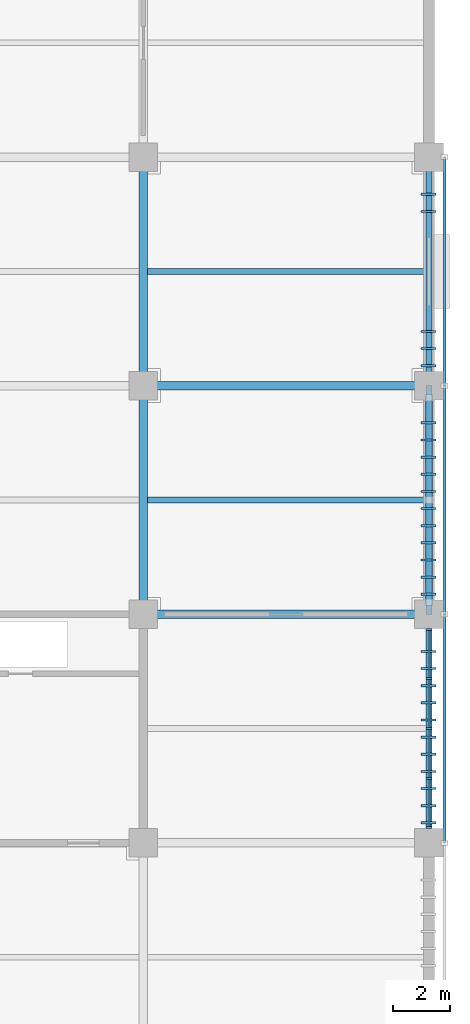
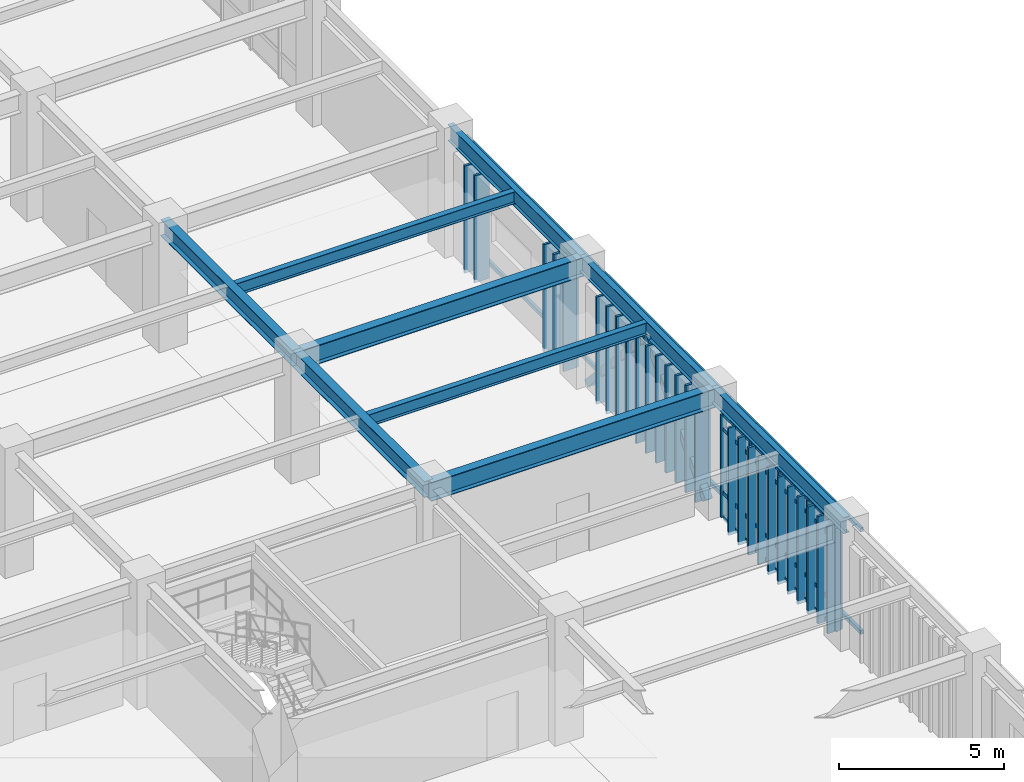
# One storey, part 40 of 117: 56 members, 9 beams, 1 element without a shape of its own.
"""IFC4 building model written with IfcOpenShell, lengths in metres."""

from ifc_helpers import new_model, si_unit, direction, frame, origin, origin_2d, place, context, subcontext, project, spatial, rectangle, hollow_rectangle, i_section, extrude, material, layer, layer_set, material_profile, profile_set, type_object, element, aggregate, save


model = new_model("IFC4")

# Units and contexts
model_context = context("Model", 3, precision=1e-05, world=origin(), true_north=direction((0.0, 1.0)))
body_context = subcontext(model_context, "Body", "Model", "MODEL_VIEW")
ifc_project = project(units=[si_unit("LENGTHUNIT", "METRE"), si_unit("AREAUNIT", "SQUARE_METRE"), si_unit("VOLUMEUNIT", "CUBIC_METRE"), si_unit("PLANEANGLEUNIT", "RADIAN"), si_unit("MASSUNIT", "GRAM", prefix="KILO")], contexts=[model_context])

# Site, building, storey
site_placement = place(None, origin())
site = spatial("IfcSite", under=ifc_project, at=site_placement, CompositionType="ELEMENT")
building_placement = place(site_placement, origin())
building = spatial("IfcBuilding", under=site, at=building_placement, Name="Haebicheon Civic Stadium", CompositionType="ELEMENT")
storey_placement = place(building_placement, frame((0.0, 0.0, 4.800048828125)))
storey = spatial("IfcBuildingStorey", under=building, at=storey_placement, Name="L02", CompositionType="ELEMENT", Elevation=4.800048828125)

# Beams
ifc_material_1 = material(Name="Steel SM355 (S355)", Category="steel")
ifc_material_profile_1 = material_profile(ifc_material_1, i_section(OverallWidth=0.300048828125, OverallDepth=0.60009765625, WebThickness=0.011962890625, FlangeThickness=0.02001953125, at=origin_2d()), Name="H-600x300x12x20")
ifc_profile_set_1 = profile_set([ifc_material_profile_1], Name="Steel SM355 (S355)")
beam_type_1 = type_object("IfcBeamType", Name="BM-ST-H600A", PredefinedType="BEAM", material=ifc_profile_set_1)
for number, where, z_axis, x_axis, name in (
    (1, (226.0, 112.0, 4.219970703125), (0.0, 1.0, 0.0), (-1.0, 0.0, 0.0), "L02 girder 29/Q-R"),
    (2, (226.0, 120.0, 4.219970703125), (0.0, 1.0, 0.0), (-1.0, 0.0, 0.0), "L02 girder 29/R-S"),
):
    element("IfcBeam", number, at=place(storey_placement, frame(where, z_axis=z_axis, x_axis=x_axis)), inside=storey, type_object=beam_type_1, material=ifc_profile_set_1, Name=name, PredefinedType="BEAM", context=body_context, shape_type="SweptSolid", body=[
        extrude(i_section(OverallWidth=0.300048828125, OverallDepth=0.60009765625, WebThickness=0.011962890625, FlangeThickness=0.02001953125, at=origin_2d()), origin(), (0.0, 0.0, 1.0), 8.0),
    ])
ifc_material_2 = material(Name="Steel SM490", Category="steel")
ifc_material_profile_2 = material_profile(ifc_material_2, i_section(OverallWidth=0.300048828125, OverallDepth=0.699951171875, WebThickness=0.012939453125, FlangeThickness=0.02392578125, at=origin_2d()), Name="H-700x300x13x24")
ifc_profile_set_2 = profile_set([ifc_material_profile_2], Name="Steel SM490")
beam_type_2 = type_object("IfcBeamType", Name="BM-ST-H700", PredefinedType="BEAM", material=ifc_profile_set_2)
for number, where, z_axis, x_axis, name in (
    (3, (226.0, 112.0, 4.169921875), (1.0, 0.0, 0.0), (0.0, 1.0, 0.0), "L02 beam Q/29-30"),
    (4, (226.0, 120.0, 4.169921875), (1.0, 0.0, 0.0), (0.0, 1.0, 0.0), "L02 beam R/29-30"),
):
    element("IfcBeam", number, at=place(storey_placement, frame(where, z_axis=z_axis, x_axis=x_axis)), inside=storey, type_object=beam_type_2, material=ifc_profile_set_2, Name=name, PredefinedType="BEAM", context=body_context, shape_type="SweptSolid", body=[
        extrude(i_section(OverallWidth=0.300048828125, OverallDepth=0.699951171875, WebThickness=0.012939453125, FlangeThickness=0.02392578125, at=origin_2d()), origin(), (0.0, 0.0, 1.0), 10.0),
    ])

# Members
ifc_material_3 = material(Name="Steel SM490", Category="steel")
ifc_material_profile_3 = material_profile(ifc_material_3, hollow_rectangle(XDim=0.25, YDim=0.25, WallThickness=0.011962890625, at=origin_2d()), Name="RHS-250x250x12.0")
ifc_profile_set_3 = profile_set([ifc_material_profile_3], Name="Steel SM490")
member_type_1 = type_object("IfcMemberType", Name="BRC-RHS250", PredefinedType="BRACE", material=ifc_profile_set_3)
for number, where, z_axis, x_axis, name in (
    (5, (236.0, 112.419921875, 0.0400390625), (0.0, 0.676254882326, 0.736667723014), (-1.0, 0.0, 0.0), "BR250 chevron brace L02 28-14 A"),
    (6, (236.0, 119.580078125, 0.0400390625), (0.0, -0.676254882326, 0.736667723014), (1.0, 0.0, 0.0), "BR250 chevron brace L02 28-14 B"),
):
    element("IfcMember", number, at=place(storey_placement, frame(where, z_axis=z_axis, x_axis=x_axis)), inside=storey, type_object=member_type_1, material=ifc_profile_set_3, Name=name, PredefinedType="BRACE", context=body_context, shape_type="SweptSolid", body=[
        extrude(hollow_rectangle(XDim=0.25, YDim=0.25, WallThickness=0.011962890625, at=origin_2d()), origin(), (0.0, 0.0, 1.0), 5.2939453125),
    ])

# Curtain wall, members
ifc_material_4 = material(Name="Anodised aluminium and laminated glass", Category="aluminium")
ifc_layer = layer(ifc_material_4, 0.179931640625, Name="Anodised aluminium and laminated glass")
ifc_layer_set = layer_set([ifc_layer], Name="Anodised aluminium and laminated glass")
curtain_wall_type = type_object("IfcCurtainWallType", Name="CW-7000x3810", PredefinedType="NOTDEFINED", material=ifc_layer_set)
curtain_wall_placement = place(storey_placement, origin())
curtain_wall = element("IfcCurtainWall", 7, at=curtain_wall_placement, inside=storey, type_object=curtain_wall_type, material=ifc_layer_set, Name="L02 unitised curtain wall 067", PredefinedType="NOTDEFINED")
ifc_material_5 = material(Name="Anodised aluminium 6063-T6", Category="aluminium")
ifc_material_profile_4 = material_profile(ifc_material_5, rectangle(XDim=0.070068359375, YDim=0.199951171875, at=origin_2d()), Name="ALU-MULL-70x200")
ifc_profile_set_4 = profile_set([ifc_material_profile_4], Name="Anodised aluminium 6063-T6")
member_type_2 = type_object("IfcMemberType", Name="CWM-200x70", PredefinedType="MULLION", material=ifc_profile_set_4)
member_1_placement = place(storey_placement, frame((236.0, 104.534912109375, 0.0), z_axis=(0.0, 0.0, 1.0), x_axis=(0.0, 1.0, 0.0)))
member_1 = element("IfcMember", 8, at=member_1_placement, type_object=member_type_2, material=ifc_profile_set_4, Name="CW-L02-067 vertical mullion 1", PredefinedType="MULLION", context=body_context, shape_type="SweptSolid", body=[
    extrude(rectangle(XDim=0.070068359375, YDim=0.199951171875, at=origin_2d()), origin(), (0.0, 0.0, 1.0), 3.81005859375),
])
member_2_placement = place(storey_placement, frame((236.0, 106.25, 0.0), z_axis=(0.0, 0.0, 1.0), x_axis=(0.0, 1.0, 0.0)))
member_2 = element("IfcMember", 9, at=member_2_placement, type_object=member_type_2, material=ifc_profile_set_4, Name="CW-L02-067 vertical mullion 2", PredefinedType="MULLION", context=body_context, shape_type="SweptSolid", body=[
    extrude(rectangle(XDim=0.070068359375, YDim=0.199951171875, at=origin_2d()), origin(), (0.0, 0.0, 1.0), 3.81005859375),
])
member_3_placement = place(storey_placement, frame((236.0, 108.0, 0.0), z_axis=(0.0, 0.0, 1.0), x_axis=(0.0, 1.0, 0.0)))
member_3 = element("IfcMember", 10, at=member_3_placement, type_object=member_type_2, material=ifc_profile_set_4, Name="CW-L02-067 vertical mullion 3", PredefinedType="MULLION", context=body_context, shape_type="SweptSolid", body=[
    extrude(rectangle(XDim=0.070068359375, YDim=0.199951171875, at=origin_2d()), origin(), (0.0, 0.0, 1.0), 3.81005859375),
])
member_4_placement = place(storey_placement, frame((236.0, 109.75, 0.0), z_axis=(0.0, 0.0, 1.0), x_axis=(0.0, 1.0, 0.0)))
member_4 = element("IfcMember", 11, at=member_4_placement, type_object=member_type_2, material=ifc_profile_set_4, Name="CW-L02-067 vertical mullion 4", PredefinedType="MULLION", context=body_context, shape_type="SweptSolid", body=[
    extrude(rectangle(XDim=0.070068359375, YDim=0.199951171875, at=origin_2d()), origin(), (0.0, 0.0, 1.0), 3.81005859375),
])
member_5_placement = place(storey_placement, frame((236.0, 111.465087890625, 0.0), z_axis=(0.0, 0.0, 1.0), x_axis=(0.0, 1.0, 0.0)))
member_5 = element("IfcMember", 12, at=member_5_placement, type_object=member_type_2, material=ifc_profile_set_4, Name="CW-L02-067 vertical mullion 5", PredefinedType="MULLION", context=body_context, shape_type="SweptSolid", body=[
    extrude(rectangle(XDim=0.070068359375, YDim=0.199951171875, at=origin_2d()), origin(), (0.0, 0.0, 1.0), 3.81005859375),
])
ifc_material_6 = material(Name="Anodised aluminium 6063-T6", Category="aluminium")
ifc_material_profile_5 = material_profile(ifc_material_6, rectangle(XDim=0.070068359375, YDim=0.14990234375, at=origin_2d()), Name="ALU-TRAN-70x150")
ifc_profile_set_5 = profile_set([ifc_material_profile_5], Name="Anodised aluminium 6063-T6")
member_type_3 = type_object("IfcMemberType", Name="CWT-150x70", PredefinedType="NOTDEFINED", material=ifc_profile_set_5)
member_6_placement = place(storey_placement, frame((236.0, 104.570068359375, 0.0), z_axis=(0.0, 1.0, 0.0), x_axis=(-1.0, 0.0, 0.0)))
member_6 = element("IfcMember", 13, at=member_6_placement, type_object=member_type_3, material=ifc_profile_set_5, Name="CW-L02-067 horizontal transom 1.1", ObjectType="TRANSOM", PredefinedType="USERDEFINED", context=body_context, shape_type="SweptSolid", body=[
    extrude(rectangle(XDim=0.070068359375, YDim=0.14990234375, at=origin_2d()), origin(), (0.0, 0.0, 1.0), 1.64501953125),
])
member_7_placement = place(storey_placement, frame((236.0, 104.570068359375, 0.89990234375), z_axis=(0.0, 1.0, 0.0), x_axis=(-1.0, 0.0, 0.0)))
member_7 = element("IfcMember", 14, at=member_7_placement, type_object=member_type_3, material=ifc_profile_set_5, Name="CW-L02-067 horizontal transom 1.2", ObjectType="TRANSOM", PredefinedType="USERDEFINED", context=body_context, shape_type="SweptSolid", body=[
    extrude(rectangle(XDim=0.070068359375, YDim=0.14990234375, at=origin_2d()), origin(), (0.0, 0.0, 1.0), 1.64501953125),
])
member_8_placement = place(storey_placement, frame((236.0, 104.570068359375, 3.260009765625), z_axis=(0.0, 1.0, 0.0), x_axis=(-1.0, 0.0, 0.0)))
member_8 = element("IfcMember", 15, at=member_8_placement, type_object=member_type_3, material=ifc_profile_set_5, Name="CW-L02-067 horizontal transom 1.3", ObjectType="TRANSOM", PredefinedType="USERDEFINED", context=body_context, shape_type="SweptSolid", body=[
    extrude(rectangle(XDim=0.070068359375, YDim=0.14990234375, at=origin_2d()), origin(), (0.0, 0.0, 1.0), 1.64501953125),
])
member_9_placement = place(storey_placement, frame((236.0, 104.570068359375, 3.81005859375), z_axis=(0.0, 1.0, 0.0), x_axis=(-1.0, 0.0, 0.0)))
member_9 = element("IfcMember", 16, at=member_9_placement, type_object=member_type_3, material=ifc_profile_set_5, Name="CW-L02-067 horizontal transom 1.4", ObjectType="TRANSOM", PredefinedType="USERDEFINED", context=body_context, shape_type="SweptSolid", body=[
    extrude(rectangle(XDim=0.070068359375, YDim=0.14990234375, at=origin_2d()), origin(), (0.0, 0.0, 1.0), 1.64501953125),
])
member_10_placement = place(storey_placement, frame((236.0, 106.284912109375, 0.0), z_axis=(0.0, 1.0, 0.0), x_axis=(-1.0, 0.0, 0.0)))
member_10 = element("IfcMember", 17, at=member_10_placement, type_object=member_type_3, material=ifc_profile_set_5, Name="CW-L02-067 horizontal transom 2.1", ObjectType="TRANSOM", PredefinedType="USERDEFINED", context=body_context, shape_type="SweptSolid", body=[
    extrude(rectangle(XDim=0.070068359375, YDim=0.14990234375, at=origin_2d()), origin(), (0.0, 0.0, 1.0), 1.68017578125),
])
member_11_placement = place(storey_placement, frame((236.0, 106.284912109375, 0.89990234375), z_axis=(0.0, 1.0, 0.0), x_axis=(-1.0, 0.0, 0.0)))
member_11 = element("IfcMember", 18, at=member_11_placement, type_object=member_type_3, material=ifc_profile_set_5, Name="CW-L02-067 horizontal transom 2.2", ObjectType="TRANSOM", PredefinedType="USERDEFINED", context=body_context, shape_type="SweptSolid", body=[
    extrude(rectangle(XDim=0.070068359375, YDim=0.14990234375, at=origin_2d()), origin(), (0.0, 0.0, 1.0), 1.68017578125),
])
member_12_placement = place(storey_placement, frame((236.0, 106.284912109375, 3.260009765625), z_axis=(0.0, 1.0, 0.0), x_axis=(-1.0, 0.0, 0.0)))
member_12 = element("IfcMember", 19, at=member_12_placement, type_object=member_type_3, material=ifc_profile_set_5, Name="CW-L02-067 horizontal transom 2.3", ObjectType="TRANSOM", PredefinedType="USERDEFINED", context=body_context, shape_type="SweptSolid", body=[
    extrude(rectangle(XDim=0.070068359375, YDim=0.14990234375, at=origin_2d()), origin(), (0.0, 0.0, 1.0), 1.68017578125),
])
member_13_placement = place(storey_placement, frame((236.0, 106.284912109375, 3.81005859375), z_axis=(0.0, 1.0, 0.0), x_axis=(-1.0, 0.0, 0.0)))
member_13 = element("IfcMember", 20, at=member_13_placement, type_object=member_type_3, material=ifc_profile_set_5, Name="CW-L02-067 horizontal transom 2.4", ObjectType="TRANSOM", PredefinedType="USERDEFINED", context=body_context, shape_type="SweptSolid", body=[
    extrude(rectangle(XDim=0.070068359375, YDim=0.14990234375, at=origin_2d()), origin(), (0.0, 0.0, 1.0), 1.68017578125),
])
member_14_placement = place(storey_placement, frame((236.0, 108.034912109375, 0.0), z_axis=(0.0, 1.0, 0.0), x_axis=(-1.0, 0.0, 0.0)))
member_14 = element("IfcMember", 21, at=member_14_placement, type_object=member_type_3, material=ifc_profile_set_5, Name="CW-L02-067 horizontal transom 3.1", ObjectType="TRANSOM", PredefinedType="USERDEFINED", context=body_context, shape_type="SweptSolid", body=[
    extrude(rectangle(XDim=0.070068359375, YDim=0.14990234375, at=origin_2d()), origin(), (0.0, 0.0, 1.0), 1.68017578125),
])
member_15_placement = place(storey_placement, frame((236.0, 108.034912109375, 0.89990234375), z_axis=(0.0, 1.0, 0.0), x_axis=(-1.0, 0.0, 0.0)))
member_15 = element("IfcMember", 22, at=member_15_placement, type_object=member_type_3, material=ifc_profile_set_5, Name="CW-L02-067 horizontal transom 3.2", ObjectType="TRANSOM", PredefinedType="USERDEFINED", context=body_context, shape_type="SweptSolid", body=[
    extrude(rectangle(XDim=0.070068359375, YDim=0.14990234375, at=origin_2d()), origin(), (0.0, 0.0, 1.0), 1.68017578125),
])
member_16_placement = place(storey_placement, frame((236.0, 108.034912109375, 3.260009765625), z_axis=(0.0, 1.0, 0.0), x_axis=(-1.0, 0.0, 0.0)))
member_16 = element("IfcMember", 23, at=member_16_placement, type_object=member_type_3, material=ifc_profile_set_5, Name="CW-L02-067 horizontal transom 3.3", ObjectType="TRANSOM", PredefinedType="USERDEFINED", context=body_context, shape_type="SweptSolid", body=[
    extrude(rectangle(XDim=0.070068359375, YDim=0.14990234375, at=origin_2d()), origin(), (0.0, 0.0, 1.0), 1.68017578125),
])
member_17_placement = place(storey_placement, frame((236.0, 108.034912109375, 3.81005859375), z_axis=(0.0, 1.0, 0.0), x_axis=(-1.0, 0.0, 0.0)))
member_17 = element("IfcMember", 24, at=member_17_placement, type_object=member_type_3, material=ifc_profile_set_5, Name="CW-L02-067 horizontal transom 3.4", ObjectType="TRANSOM", PredefinedType="USERDEFINED", context=body_context, shape_type="SweptSolid", body=[
    extrude(rectangle(XDim=0.070068359375, YDim=0.14990234375, at=origin_2d()), origin(), (0.0, 0.0, 1.0), 1.68017578125),
])
member_18_placement = place(storey_placement, frame((236.0, 109.784912109375, 0.0), z_axis=(0.0, 1.0, 0.0), x_axis=(-1.0, 0.0, 0.0)))
member_18 = element("IfcMember", 25, at=member_18_placement, type_object=member_type_3, material=ifc_profile_set_5, Name="CW-L02-067 horizontal transom 4.1", ObjectType="TRANSOM", PredefinedType="USERDEFINED", context=body_context, shape_type="SweptSolid", body=[
    extrude(rectangle(XDim=0.070068359375, YDim=0.14990234375, at=origin_2d()), origin(), (0.0, 0.0, 1.0), 1.64501953125),
])
member_19_placement = place(storey_placement, frame((236.0, 109.784912109375, 0.89990234375), z_axis=(0.0, 1.0, 0.0), x_axis=(-1.0, 0.0, 0.0)))
member_19 = element("IfcMember", 26, at=member_19_placement, type_object=member_type_3, material=ifc_profile_set_5, Name="CW-L02-067 horizontal transom 4.2", ObjectType="TRANSOM", PredefinedType="USERDEFINED", context=body_context, shape_type="SweptSolid", body=[
    extrude(rectangle(XDim=0.070068359375, YDim=0.14990234375, at=origin_2d()), origin(), (0.0, 0.0, 1.0), 1.64501953125),
])
member_20_placement = place(storey_placement, frame((236.0, 109.784912109375, 3.260009765625), z_axis=(0.0, 1.0, 0.0), x_axis=(-1.0, 0.0, 0.0)))
member_20 = element("IfcMember", 27, at=member_20_placement, type_object=member_type_3, material=ifc_profile_set_5, Name="CW-L02-067 horizontal transom 4.3", ObjectType="TRANSOM", PredefinedType="USERDEFINED", context=body_context, shape_type="SweptSolid", body=[
    extrude(rectangle(XDim=0.070068359375, YDim=0.14990234375, at=origin_2d()), origin(), (0.0, 0.0, 1.0), 1.64501953125),
])
member_21_placement = place(storey_placement, frame((236.0, 109.784912109375, 3.81005859375), z_axis=(0.0, 1.0, 0.0), x_axis=(-1.0, 0.0, 0.0)))
member_21 = element("IfcMember", 28, at=member_21_placement, type_object=member_type_3, material=ifc_profile_set_5, Name="CW-L02-067 horizontal transom 4.4", ObjectType="TRANSOM", PredefinedType="USERDEFINED", context=body_context, shape_type="SweptSolid", body=[
    extrude(rectangle(XDim=0.070068359375, YDim=0.14990234375, at=origin_2d()), origin(), (0.0, 0.0, 1.0), 1.64501953125),
])
aggregate(curtain_wall, [member_1, member_2, member_3, member_4, member_5, member_6, member_7, member_8, member_9, member_10, member_11, member_12, member_13, member_14, member_15, member_16, member_17, member_18, member_19, member_20, member_21])

# Beams
ifc_material_7 = material(Name="Steel SM355 (S355)", Category="steel")
ifc_material_profile_6 = material_profile(ifc_material_7, i_section(OverallWidth=0.199951171875, OverallDepth=0.449951171875, WebThickness=0.009033203125, FlangeThickness=0.013916015625, at=origin_2d()), Name="H-450x200x9x14")
ifc_profile_set_6 = profile_set([ifc_material_profile_6], Name="Steel SM355 (S355)")
beam_type_3 = type_object("IfcBeamType", Name="JST-ST-H450", PredefinedType="JOIST", material=ifc_profile_set_6)
for number, where, z_axis, x_axis, name in (
    (29, (226.14990234375, 116.0, 4.294921875), (1.0, 0.0, 0.0), (0.0, 1.0, 0.0), "L02 secondary joist 28-14"),
    (30, (226.14990234375, 124.0, 4.294921875), (1.0, 0.0, 0.0), (0.0, 1.0, 0.0), "L02 secondary joist 28-15"),
):
    element("IfcBeam", number, at=place(storey_placement, frame(where, z_axis=z_axis, x_axis=x_axis)), inside=storey, type_object=beam_type_3, material=ifc_profile_set_6, Name=name, PredefinedType="JOIST", context=body_context, shape_type="SweptSolid", body=[
        extrude(i_section(OverallWidth=0.199951171875, OverallDepth=0.449951171875, WebThickness=0.009033203125, FlangeThickness=0.013916015625, at=origin_2d()), origin(), (0.0, 0.0, 1.0), 9.75),
    ])

# Members
ifc_material_8 = material(Name="Acetylated timber GL28h", Category="wood")
ifc_material_profile_7 = material_profile(ifc_material_8, rectangle(XDim=0.080078125, YDim=0.52001953125, at=origin_2d()), Name="TMB-LOUV-80x520")
ifc_profile_set_7 = profile_set([ifc_material_profile_7], Name="Acetylated timber GL28h")
member_type_4 = type_object("IfcMemberType", Name="LVR-TIM-520x80", PredefinedType="PLATE", material=ifc_profile_set_7)
for number, where, z_axis, x_axis, name in (
    (31, (235.97998046875, 104.699951171875, -0.1201171875), (0.0, 0.0, 1.0), (0.0, 1.0, 0.0), "SCR-COMM L02 acetylated timber storm louvre fin 8.1"),
    (32, (235.97998046875, 105.300048828125, -0.1201171875), (0.0, 0.0, 1.0), (0.0, 1.0, 0.0), "SCR-COMM L02 acetylated timber storm louvre fin 8.2"),
    (33, (235.97998046875, 105.89990234375, -0.1201171875), (0.0, 0.0, 1.0), (0.0, 1.0, 0.0), "SCR-COMM L02 acetylated timber storm louvre fin 8.3"),
    (34, (235.97998046875, 106.5, -0.1201171875), (0.0, 0.0, 1.0), (0.0, 1.0, 0.0), "SCR-COMM L02 acetylated timber storm louvre fin 8.4"),
    (35, (235.97998046875, 107.10009765625, -0.1201171875), (0.0, 0.0, 1.0), (0.0, 1.0, 0.0), "SCR-COMM L02 acetylated timber storm louvre fin 8.5"),
    (36, (235.97998046875, 107.699951171875, -0.1201171875), (0.0, 0.0, 1.0), (0.0, 1.0, 0.0), "SCR-COMM L02 acetylated timber storm louvre fin 8.6"),
    (37, (235.97998046875, 108.300048828125, -0.1201171875), (0.0, 0.0, 1.0), (0.0, 1.0, 0.0), "SCR-COMM L02 acetylated timber storm louvre fin 8.7"),
    (38, (235.97998046875, 108.89990234375, -0.1201171875), (0.0, 0.0, 1.0), (0.0, 1.0, 0.0), "SCR-COMM L02 acetylated timber storm louvre fin 8.8"),
    (39, (235.97998046875, 109.5, -0.1201171875), (0.0, 0.0, 1.0), (0.0, 1.0, 0.0), "SCR-COMM L02 acetylated timber storm louvre fin 8.9"),
    (40, (235.97998046875, 110.10009765625, -0.1201171875), (0.0, 0.0, 1.0), (0.0, 1.0, 0.0), "SCR-COMM L02 acetylated timber storm louvre fin 8.10"),
    (41, (235.97998046875, 110.699951171875, -0.1201171875), (0.0, 0.0, 1.0), (0.0, 1.0, 0.0), "SCR-COMM L02 acetylated timber storm louvre fin 8.11"),
    (42, (235.97998046875, 112.699951171875, -0.1201171875), (0.0, 0.0, 1.0), (0.0, 1.0, 0.0), "SCR-COMM L02 acetylated timber storm louvre fin 9.1"),
    (43, (235.97998046875, 113.300048828125, -0.1201171875), (0.0, 0.0, 1.0), (0.0, 1.0, 0.0), "SCR-COMM L02 acetylated timber storm louvre fin 9.2"),
    (44, (235.97998046875, 113.89990234375, -0.1201171875), (0.0, 0.0, 1.0), (0.0, 1.0, 0.0), "SCR-COMM L02 acetylated timber storm louvre fin 9.3"),
    (45, (235.97998046875, 114.5, -0.1201171875), (0.0, 0.0, 1.0), (0.0, 1.0, 0.0), "SCR-COMM L02 acetylated timber storm louvre fin 9.4"),
    (46, (235.97998046875, 115.10009765625, -0.1201171875), (0.0, 0.0, 1.0), (0.0, 1.0, 0.0), "SCR-COMM L02 acetylated timber storm louvre fin 9.5"),
    (47, (235.97998046875, 115.699951171875, -0.1201171875), (0.0, 0.0, 1.0), (0.0, 1.0, 0.0), "SCR-COMM L02 acetylated timber storm louvre fin 9.6"),
    (48, (235.97998046875, 116.300048828125, -0.1201171875), (0.0, 0.0, 1.0), (0.0, 1.0, 0.0), "SCR-COMM L02 acetylated timber storm louvre fin 9.7"),
    (49, (235.97998046875, 116.89990234375, -0.1201171875), (0.0, 0.0, 1.0), (0.0, 1.0, 0.0), "SCR-COMM L02 acetylated timber storm louvre fin 9.8"),
    (50, (235.97998046875, 117.5, -0.1201171875), (0.0, 0.0, 1.0), (0.0, 1.0, 0.0), "SCR-COMM L02 acetylated timber storm louvre fin 9.9"),
    (51, (235.97998046875, 118.10009765625, -0.1201171875), (0.0, 0.0, 1.0), (0.0, 1.0, 0.0), "SCR-COMM L02 acetylated timber storm louvre fin 9.10"),
    (52, (235.97998046875, 118.699951171875, -0.1201171875), (0.0, 0.0, 1.0), (0.0, 1.0, 0.0), "SCR-COMM L02 acetylated timber storm louvre fin 9.11"),
    (53, (235.97998046875, 120.699951171875, -0.1201171875), (0.0, 0.0, 1.0), (0.0, 1.0, 0.0), "SCR-COMM L02 acetylated timber storm louvre fin 10.1"),
    (54, (235.97998046875, 121.300048828125, -0.1201171875), (0.0, 0.0, 1.0), (0.0, 1.0, 0.0), "SCR-COMM L02 acetylated timber storm louvre fin 10.2"),
    (55, (235.97998046875, 121.89990234375, -0.1201171875), (0.0, 0.0, 1.0), (0.0, 1.0, 0.0), "SCR-COMM L02 acetylated timber storm louvre fin 10.3"),
    (56, (235.97998046875, 126.10009765625, -0.1201171875), (0.0, 0.0, 1.0), (0.0, 1.0, 0.0), "SCR-COMM L02 acetylated timber storm louvre fin 10.10"),
    (57, (235.97998046875, 126.699951171875, -0.1201171875), (0.0, 0.0, 1.0), (0.0, 1.0, 0.0), "SCR-COMM L02 acetylated timber storm louvre fin 10.11"),
):
    element("IfcMember", number, at=place(storey_placement, frame(where, z_axis=z_axis, x_axis=x_axis)), inside=storey, type_object=member_type_4, material=ifc_profile_set_7, Name=name, PredefinedType="PLATE", context=body_context, shape_type="SweptSolid", body=[
        extrude(rectangle(XDim=0.080078125, YDim=0.52001953125, at=origin_2d()), origin(), (0.0, 0.0, 1.0), 3.969970703125),
    ])

# Beams
ifc_material_9 = material(Name="Steel SM355 (S355)", Category="steel")
ifc_material_profile_8 = material_profile(ifc_material_9, i_section(OverallWidth=0.199951171875, OverallDepth=0.60009765625, WebThickness=0.010986328125, FlangeThickness=0.01708984375, at=origin_2d()), Name="H-600x200x11x17")
ifc_profile_set_8 = profile_set([ifc_material_profile_8], Name="Steel SM355 (S355)")
beam_type_4 = type_object("IfcBeamType", Name="SPD-ST-H600B", PredefinedType="SPANDREL", material=ifc_profile_set_8)
for number, where, z_axis, x_axis, name in (
    (58, (236.0, 104.0, 4.219970703125), (0.0, 1.0, 0.0), (-1.0, 0.0, 0.0), "L02 girder 30/P-Q"),
    (59, (236.0, 112.0, 4.219970703125), (0.0, 1.0, 0.0), (-1.0, 0.0, 0.0), "L02 girder 30/Q-R"),
    (60, (236.0, 120.0, 4.219970703125), (0.0, 1.0, 0.0), (-1.0, 0.0, 0.0), "L02 girder 30/R-S"),
):
    element("IfcBeam", number, at=place(storey_placement, frame(where, z_axis=z_axis, x_axis=x_axis)), inside=storey, type_object=beam_type_4, material=ifc_profile_set_8, Name=name, PredefinedType="SPANDREL", context=body_context, shape_type="SweptSolid", body=[
        extrude(i_section(OverallWidth=0.199951171875, OverallDepth=0.60009765625, WebThickness=0.010986328125, FlangeThickness=0.01708984375, at=origin_2d()), origin(), (0.0, 0.0, 1.0), 8.0),
    ])

# Members
ifc_material_10 = material(Name="Steel SM355 (S355)", Category="steel")
ifc_material_profile_9 = material_profile(ifc_material_10, hollow_rectangle(XDim=0.10009765625, YDim=0.14990234375, WallThickness=0.006103515625, at=origin_2d()), Name="RHS-150x100x6.0")
ifc_profile_set_9 = profile_set([ifc_material_profile_9], Name="Steel SM355 (S355)")
member_type_5 = type_object("IfcMemberType", Name="SUB-RHS150", PredefinedType="STRINGER", material=ifc_profile_set_9)
for number, where, z_axis, x_axis, name in (
    (61, (236.5400390625, 104.0, 0.06005859375), (0.0, 1.0, 0.0), (-1.0, 0.0, 0.0), "SCR-COMM L02 storm-louvre bottom carrier rail 8"),
    (62, (236.5400390625, 104.0, 3.849853515625), (0.0, 1.0, 0.0), (-1.0, 0.0, 0.0), "SCR-COMM L02 storm-louvre top carrier rail 8"),
    (63, (236.5400390625, 112.0, 0.06005859375), (0.0, 1.0, 0.0), (-1.0, 0.0, 0.0), "SCR-COMM L02 storm-louvre bottom carrier rail 9"),
    (64, (236.5400390625, 112.0, 3.849853515625), (0.0, 1.0, 0.0), (-1.0, 0.0, 0.0), "SCR-COMM L02 storm-louvre top carrier rail 9"),
    (65, (236.5400390625, 120.0, 0.06005859375), (0.0, 1.0, 0.0), (-1.0, 0.0, 0.0), "SCR-COMM L02 storm-louvre bottom carrier rail 10"),
    (66, (236.5400390625, 120.0, 3.849853515625), (0.0, 1.0, 0.0), (-1.0, 0.0, 0.0), "SCR-COMM L02 storm-louvre top carrier rail 10"),
):
    element("IfcMember", number, at=place(storey_placement, frame(where, z_axis=z_axis, x_axis=x_axis)), inside=storey, type_object=member_type_5, material=ifc_profile_set_9, Name=name, PredefinedType="STRINGER", context=body_context, shape_type="SweptSolid", body=[
        extrude(hollow_rectangle(XDim=0.10009765625, YDim=0.14990234375, WallThickness=0.006103515625, at=origin_2d()), origin(), (0.0, 0.0, 1.0), 8.0),
    ])

save(model, "model.ifc")
